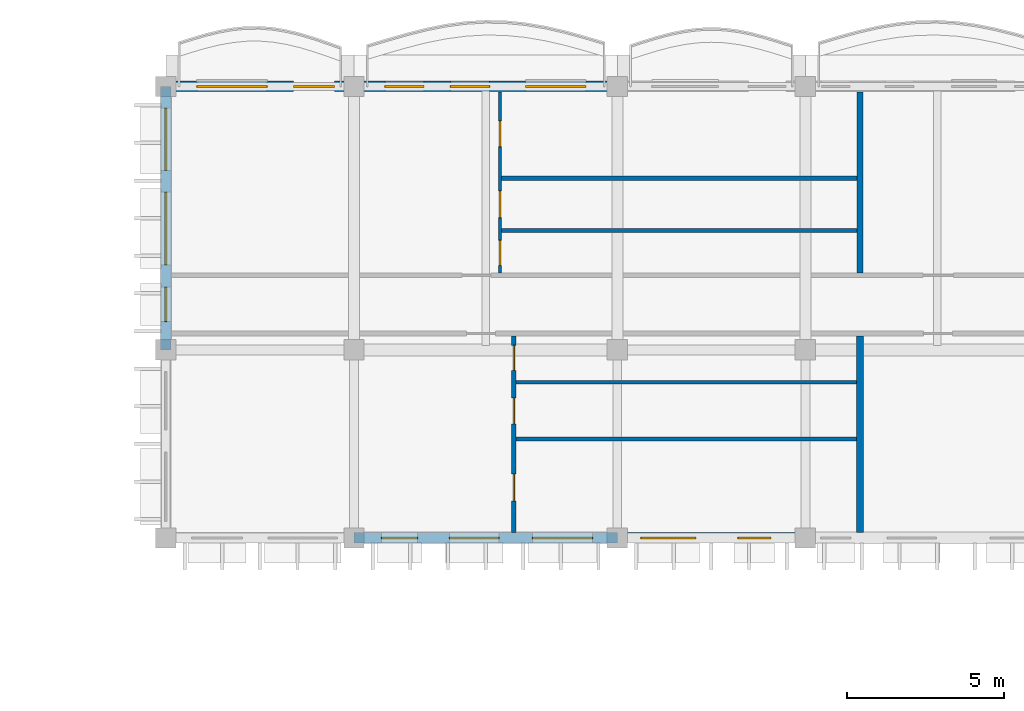
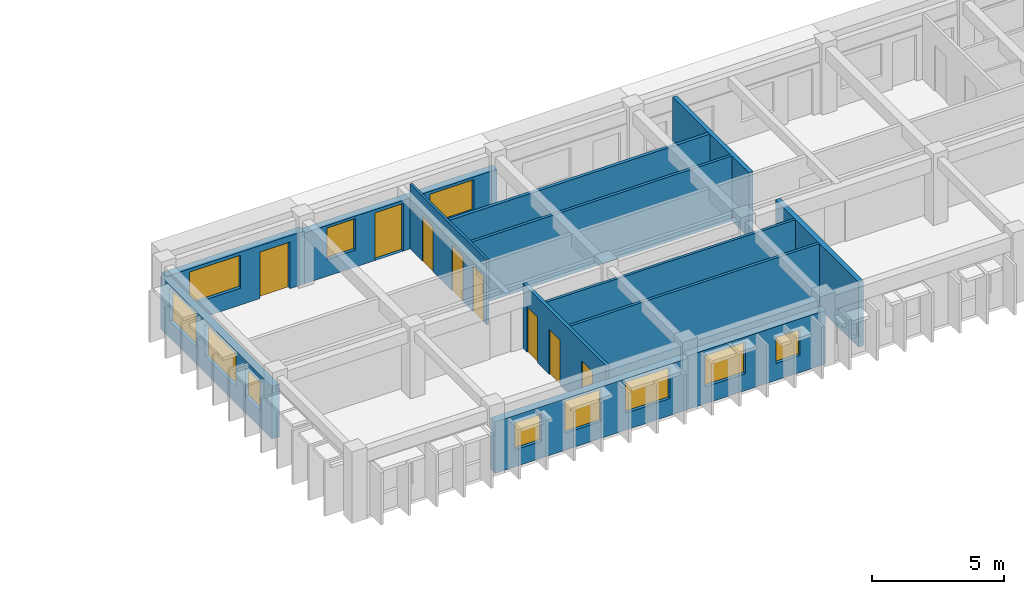
# One storey, part 27 of 70: 13 walls, 11 windows, 8 doors, 19 openings.
"""IFC4 building model written with IfcOpenShell, lengths in metres."""

from ifc_helpers import new_model, si_unit, direction, frame, frame_2d, origin, place, context, subcontext, project, spatial, rectangle, extrude, material, layer, layer_set, type_object, element, fill, save


model = new_model("IFC4")

# Units and contexts
model_context = context("Model", 3, precision=1e-05, world=origin(), true_north=direction((0.0, 1.0)))
body_context = subcontext(model_context, "Body", "Model", "MODEL_VIEW")
ifc_project = project(units=[si_unit("LENGTHUNIT", "METRE"), si_unit("AREAUNIT", "SQUARE_METRE"), si_unit("VOLUMEUNIT", "CUBIC_METRE"), si_unit("PLANEANGLEUNIT", "RADIAN"), si_unit("MASSUNIT", "GRAM", prefix="KILO"), si_unit("THERMODYNAMICTEMPERATUREUNIT", "KELVIN")], contexts=[model_context])

# Site, building, storey
site_placement = place(None, origin())
site = spatial("IfcSite", under=ifc_project, at=site_placement, CompositionType="ELEMENT")
building_placement = place(site_placement, origin())
building = spatial("IfcBuilding", under=site, at=building_placement, Name="Thalorik Housing Commons", CompositionType="ELEMENT")
storey_placement = place(building_placement, frame((0.0, 0.0, 14.699951171875)))
storey = spatial("IfcBuildingStorey", under=building, at=storey_placement, Name="L04", CompositionType="ELEMENT", Elevation=14.699951171875)

# Wall, openings, door, windows
ifc_material_1 = material(Name="White precast concrete C40/50", Category="concrete")
ifc_layer_1 = layer(ifc_material_1, 0.3349609375, Name="White precast concrete C40/50", Category="concrete")
ifc_layer_set_1 = layer_set([ifc_layer_1], Name="White precast concrete C40/50")
wall_type_1 = type_object("IfcWallType", Name="ARC-WAL-EXT-335", PredefinedType="STANDARD", material=ifc_layer_set_1)
wall_1_placement = place(storey_placement, frame((94.800048828125, 123.60009765625, 0.0), z_axis=(0.0, 0.0, 1.0), x_axis=(-1.0, 0.0, 0.0)))
wall_1 = element("IfcWall", 1, at=wall_1_placement, inside=storey, type_object=wall_type_1, Name="L04 Exterior Wall WAL-EXT-L04-B-0534", PredefinedType="STANDARD", context=body_context, shape_type="SweptSolid", body=[
    extrude(rectangle(XDim=8.400146484375, YDim=0.3349609375, at=frame_2d((4.2001953125, 0.0))), origin(), (0.0, 0.0, 1.0), 2.344970703125),
])
opening_1_placement = place(wall_1_placement, frame((4.071533203125, 0.0, 0.0)))
opening_1 = element("IfcOpeningElement", 2, at=opening_1_placement, cuts=wall_1, Name="Opening ED-0168", PredefinedType="OPENING", context=body_context, shape_type="SweptSolid", body=[
    extrude(rectangle(XDim=1.25, YDim=2.199951171875, at=frame_2d((0.625, 1.10009765625))), frame((0.0, 0.177490234375, 0.0), z_axis=(0.0, -1.0, 0.0), x_axis=(1.0, 0.0, 0.0)), (0.0, 0.0, 1.0), 0.35498046875),
])
opening_2_placement = place(wall_1_placement, frame((1.005859375, 0.0, 0.780029296875)))
opening_2 = element("IfcOpeningElement", 3, at=opening_2_placement, cuts=wall_1, Name="Opening W-60", PredefinedType="OPENING", context=body_context, shape_type="SweptSolid", body=[
    extrude(rectangle(XDim=1.919921875, YDim=1.43994140625, at=frame_2d((0.9599609375, 0.719970703125))), frame((0.0, 0.177490234375, 0.0), z_axis=(0.0, -1.0, 0.0), x_axis=(1.0, 0.0, 0.0)), (0.0, 0.0, 1.0), 0.35498046875),
])
opening_3_placement = place(wall_1_placement, frame((6.165771484375, 0.0, 0.780029296875)))
opening_3 = element("IfcOpeningElement", 4, at=opening_3_placement, cuts=wall_1, Name="Opening W-47", PredefinedType="OPENING", context=body_context, shape_type="SweptSolid", body=[
    extrude(rectangle(XDim=1.25, YDim=1.449951171875, at=frame_2d((0.625, 0.72509765625))), frame((0.0, 0.177490234375, 0.0), z_axis=(0.0, -1.0, 0.0), x_axis=(1.0, 0.0, 0.0)), (0.0, 0.0, 1.0), 0.35498046875),
])
ifc_material_2 = material(Name="Anodised aluminium and laminated safety glass", Category="aluminium")
door_type_1 = type_object("IfcDoorType", Name="ARC-DR-BAL-1250", OperationType="NOTDEFINED", PredefinedType="DOOR", material=ifc_material_2)
door_1_placement = place(opening_1_placement, frame((1.25, 0.0, 0.0), z_axis=(0.0, 0.0, 1.0), x_axis=(-1.0, 0.0, 0.0)))
door_1 = element("IfcDoor", 5, at=door_1_placement, inside=storey, type_object=door_type_1, Name="L04 Block B Balcony Glazed Door", OperationType="SINGLE_SWING_LEFT", OverallHeight=2.199951171875, OverallWidth=1.25, PredefinedType="DOOR", context=body_context, shape_type="SweptSolid", body=[
    extrude(rectangle(XDim=1.25, YDim=2.199951171875, at=frame_2d((0.625, 1.10009765625))), frame((0.0, 0.02490234375, 0.0), z_axis=(0.0, -1.0, 0.0), x_axis=(1.0, 0.0, 0.0)), (0.0, 0.0, 1.0), 0.050048828125),
])
fill(opening_1, door_1)
ifc_material_3 = material(Name="Anodised aluminium and solar-control low-E glass", Category="aluminium")
window_type_1 = type_object("IfcWindowType", Name="ARC-WIN-47", PartitioningType="SINGLE_PANEL", PredefinedType="WINDOW", material=ifc_material_3)
window_1_placement = place(opening_3_placement, origin())
window_1 = element("IfcWindow", 6, at=window_1_placement, inside=storey, type_object=window_type_1, Name="L04 Facade Window 960", OverallHeight=1.449951171875, OverallWidth=1.25, PartitioningType="SINGLE_PANEL", PredefinedType="WINDOW", context=body_context, shape_type="SweptSolid", body=[
    extrude(rectangle(XDim=1.25, YDim=1.449951171875, at=frame_2d((0.625, 0.72509765625))), frame((0.0, 0.030029296875, 0.0), z_axis=(0.0, -1.0, 0.0), x_axis=(1.0, 0.0, 0.0)), (0.0, 0.0, 1.0), 0.06005859375),
])
fill(opening_3, window_1)
window_type_2 = type_object("IfcWindowType", Name="ARC-WIN-60", PartitioningType="DOUBLE_PANEL_VERTICAL", PredefinedType="WINDOW", material=ifc_material_3)
window_2_placement = place(opening_2_placement, origin())
window_2 = element("IfcWindow", 7, at=window_2_placement, inside=storey, type_object=window_type_2, Name="L04 Facade Window 959", OverallHeight=1.43994140625, OverallWidth=1.919921875, PartitioningType="DOUBLE_PANEL_VERTICAL", PredefinedType="WINDOW", context=body_context, shape_type="SweptSolid", body=[
    extrude(rectangle(XDim=1.919921875, YDim=1.43994140625, at=frame_2d((0.9599609375, 0.719970703125))), frame((0.0, 0.030029296875, 0.0), z_axis=(0.0, -1.0, 0.0), x_axis=(1.0, 0.0, 0.0)), (0.0, 0.0, 1.0), 0.06005859375),
])
fill(opening_2, window_2)

# Wall, openings, door, window
wall_2_placement = place(storey_placement, frame((86.39990234375, 123.60009765625, 0.0), z_axis=(0.0, 0.0, 1.0), x_axis=(-1.0, 0.0, 0.0)))
wall_2 = element("IfcWall", 8, at=wall_2_placement, inside=storey, type_object=wall_type_1, Name="L04 Exterior Wall WAL-EXT-L04-B-0535", PredefinedType="STANDARD", context=body_context, shape_type="SweptSolid", body=[
    extrude(rectangle(XDim=6.0, YDim=0.3349609375, at=frame_2d((3.0, 0.0))), origin(), (0.0, 0.0, 1.0), 2.445068359375),
])
opening_4_placement = place(wall_2_placement, frame((0.6201171875, 0.0, 0.0)))
opening_4 = element("IfcOpeningElement", 9, at=opening_4_placement, cuts=wall_2, Name="Opening ED-0169", PredefinedType="OPENING", context=body_context, shape_type="SweptSolid", body=[
    extrude(rectangle(XDim=1.300048828125, YDim=2.14990234375, at=frame_2d((0.64990234375, 1.074951171875))), frame((0.0, 0.177490234375, 0.0), z_axis=(0.0, -1.0, 0.0), x_axis=(1.0, 0.0, 0.0)), (0.0, 0.0, 1.0), 0.35498046875),
])
opening_5_placement = place(wall_2_placement, frame((2.77001953125, 0.0, 0.780029296875)))
opening_5 = element("IfcOpeningElement", 10, at=opening_5_placement, cuts=wall_2, Name="Opening W-66", PredefinedType="OPENING", context=body_context, shape_type="SweptSolid", body=[
    extrude(rectangle(XDim=2.239990234375, YDim=1.52001953125, at=frame_2d((1.1201171875, 0.760009765625))), frame((0.0, 0.177490234375, 0.0), z_axis=(0.0, -1.0, 0.0), x_axis=(1.0, 0.0, 0.0)), (0.0, 0.0, 1.0), 0.35498046875),
])
door_type_2 = type_object("IfcDoorType", Name="ARC-DR-BAL-1300", OperationType="NOTDEFINED", PredefinedType="DOOR", material=ifc_material_2)
door_2_placement = place(opening_4_placement, frame((1.300048828125, 0.0, 0.0), z_axis=(0.0, 0.0, 1.0), x_axis=(-1.0, 0.0, 0.0)))
door_2 = element("IfcDoor", 11, at=door_2_placement, inside=storey, type_object=door_type_2, Name="L04 Block B Balcony Glazed Door", OperationType="SINGLE_SWING_RIGHT", OverallHeight=2.14990234375, OverallWidth=1.300048828125, PredefinedType="DOOR", context=body_context, shape_type="SweptSolid", body=[
    extrude(rectangle(XDim=1.300048828125, YDim=2.14990234375, at=frame_2d((0.64990234375, 1.074951171875))), frame((0.0, 0.02490234375, 0.0), z_axis=(0.0, -1.0, 0.0), x_axis=(1.0, 0.0, 0.0)), (0.0, 0.0, 1.0), 0.050048828125),
])
fill(opening_4, door_2)
window_type_3 = type_object("IfcWindowType", Name="ARC-WIN-66", PartitioningType="DOUBLE_PANEL_VERTICAL", PredefinedType="WINDOW", material=ifc_material_3)
window_3_placement = place(opening_5_placement, origin())
window_3 = element("IfcWindow", 12, at=window_3_placement, inside=storey, type_object=window_type_3, Name="L04 Facade Window 961", OverallHeight=1.52001953125, OverallWidth=2.239990234375, PartitioningType="DOUBLE_PANEL_VERTICAL", PredefinedType="WINDOW", context=body_context, shape_type="SweptSolid", body=[
    extrude(rectangle(XDim=2.239990234375, YDim=1.52001953125, at=frame_2d((1.1201171875, 0.760009765625))), frame((0.0, 0.030029296875, 0.0), z_axis=(0.0, -1.0, 0.0), x_axis=(1.0, 0.0, 0.0)), (0.0, 0.0, 1.0), 0.06005859375),
])
fill(opening_5, window_3)

# Wall, openings, windows
wall_3_placement = place(storey_placement, frame((80.39990234375, 123.60009765625, 0.0), z_axis=(0.0, 0.0, 1.0), x_axis=(0.0, -1.0, 0.0)))
wall_3 = element("IfcWall", 13, at=wall_3_placement, inside=storey, type_object=wall_type_1, Name="L04 Exterior Wall WAL-EXT-L04-B-0536", PredefinedType="STANDARD", context=body_context, shape_type="SweptSolid", body=[
    extrude(rectangle(XDim=8.400146484375, YDim=0.3349609375, at=frame_2d((4.2001953125, 0.0))), origin(), (0.0, 0.0, 1.0), 2.425048828125),
])
opening_6_placement = place(wall_3_placement, frame((0.6923828125, 0.0, 0.780029296875)))
opening_6 = element("IfcOpeningElement", 14, at=opening_6_placement, cuts=wall_3, Name="Opening W-61", PredefinedType="OPENING", context=body_context, shape_type="SweptSolid", body=[
    extrude(rectangle(XDim=1.97998046875, YDim=1.5, at=frame_2d((0.989990234375, 0.75))), frame((0.0, 0.177490234375, 0.0), z_axis=(0.0, -1.0, 0.0), x_axis=(1.0, 0.0, 0.0)), (0.0, 0.0, 1.0), 0.35498046875),
])
opening_7_placement = place(wall_3_placement, frame((3.367431640625, 0.0, 0.780029296875)))
opening_7 = element("IfcOpeningElement", 15, at=opening_7_placement, cuts=wall_3, Name="Opening W-68", PredefinedType="OPENING", context=body_context, shape_type="SweptSolid", body=[
    extrude(rectangle(XDim=2.320068359375, YDim=1.5, at=frame_2d((1.16015625, 0.75))), frame((0.0, 0.177490234375, 0.0), z_axis=(0.0, -1.0, 0.0), x_axis=(1.0, 0.0, 0.0)), (0.0, 0.0, 1.0), 0.35498046875),
])
opening_8_placement = place(wall_3_placement, frame((6.39990234375, 0.0, 0.780029296875)))
opening_8 = element("IfcOpeningElement", 16, at=opening_8_placement, cuts=wall_3, Name="Opening W-03", PredefinedType="OPENING", context=body_context, shape_type="SweptSolid", body=[
    extrude(rectangle(XDim=1.10009765625, YDim=1.300048828125, at=frame_2d((0.550048828125, 0.64990234375))), frame((0.0, 0.177490234375, 0.0), z_axis=(0.0, -1.0, 0.0), x_axis=(1.0, 0.0, 0.0)), (0.0, 0.0, 1.0), 0.35498046875),
])
window_type_4 = type_object("IfcWindowType", Name="ARC-WIN-03", PartitioningType="SINGLE_PANEL", PredefinedType="WINDOW", material=ifc_material_3)
window_4_placement = place(opening_8_placement, origin())
window_4 = element("IfcWindow", 17, at=window_4_placement, inside=storey, type_object=window_type_4, Name="L04 Facade Window 964", OverallHeight=1.300048828125, OverallWidth=1.10009765625, PartitioningType="SINGLE_PANEL", PredefinedType="WINDOW", context=body_context, shape_type="SweptSolid", body=[
    extrude(rectangle(XDim=1.10009765625, YDim=1.300048828125, at=frame_2d((0.550048828125, 0.64990234375))), frame((0.0, 0.030029296875, 0.0), z_axis=(0.0, -1.0, 0.0), x_axis=(1.0, 0.0, 0.0)), (0.0, 0.0, 1.0), 0.06005859375),
])
fill(opening_8, window_4)
window_type_5 = type_object("IfcWindowType", Name="ARC-WIN-61", PartitioningType="DOUBLE_PANEL_VERTICAL", PredefinedType="WINDOW", material=ifc_material_3)
window_5_placement = place(opening_6_placement, origin())
window_5 = element("IfcWindow", 18, at=window_5_placement, inside=storey, type_object=window_type_5, Name="L04 Facade Window 962", OverallHeight=1.5, OverallWidth=1.97998046875, PartitioningType="DOUBLE_PANEL_VERTICAL", PredefinedType="WINDOW", context=body_context, shape_type="SweptSolid", body=[
    extrude(rectangle(XDim=1.97998046875, YDim=1.5, at=frame_2d((0.989990234375, 0.75))), frame((0.0, 0.030029296875, 0.0), z_axis=(0.0, -1.0, 0.0), x_axis=(1.0, 0.0, 0.0)), (0.0, 0.0, 1.0), 0.06005859375),
])
fill(opening_6, window_5)
window_type_6 = type_object("IfcWindowType", Name="ARC-WIN-68", PartitioningType="DOUBLE_PANEL_VERTICAL", PredefinedType="WINDOW", material=ifc_material_3)
window_6_placement = place(opening_7_placement, origin())
window_6 = element("IfcWindow", 19, at=window_6_placement, inside=storey, type_object=window_type_6, Name="L04 Facade Window 963", OverallHeight=1.5, OverallWidth=2.320068359375, PartitioningType="DOUBLE_PANEL_VERTICAL", PredefinedType="WINDOW", context=body_context, shape_type="SweptSolid", body=[
    extrude(rectangle(XDim=2.320068359375, YDim=1.5, at=frame_2d((1.16015625, 0.75))), frame((0.0, 0.030029296875, 0.0), z_axis=(0.0, -1.0, 0.0), x_axis=(1.0, 0.0, 0.0)), (0.0, 0.0, 1.0), 0.06005859375),
])
fill(opening_7, window_6)

wall_4_placement = place(storey_placement, frame((86.39990234375, 109.199951171875, 0.0), z_axis=(0.0, 0.0, 1.0), x_axis=(1.0, 0.0, 0.0)))
wall_4 = element("IfcWall", 20, at=wall_4_placement, inside=storey, type_object=wall_type_1, Name="L04 Exterior Wall WAL-EXT-L04-B-0539", PredefinedType="STANDARD", context=body_context, shape_type="SweptSolid", body=[
    extrude(rectangle(XDim=8.400146484375, YDim=0.3349609375, at=frame_2d((4.2001953125, 0.0))), origin(), (0.0, 0.0, 1.0), 2.375),
])
opening_9_placement = place(wall_4_placement, frame((0.87744140625, 0.0, 0.780029296875)))
opening_9 = element("IfcOpeningElement", 21, at=opening_9_placement, cuts=wall_4, Name="Opening W-45", PredefinedType="OPENING", context=body_context, shape_type="SweptSolid", body=[
    extrude(rectangle(XDim=1.14990234375, YDim=1.25, at=frame_2d((0.574951171875, 0.625))), frame((0.0, 0.177490234375, 0.0), z_axis=(0.0, -1.0, 0.0), x_axis=(1.0, 0.0, 0.0)), (0.0, 0.0, 1.0), 0.35498046875),
])
opening_10_placement = place(wall_4_placement, frame((3.047607421875, 0.0, 0.780029296875)))
opening_10 = element("IfcOpeningElement", 22, at=opening_10_placement, cuts=wall_4, Name="Opening W-53", PredefinedType="OPENING", context=body_context, shape_type="SweptSolid", body=[
    extrude(rectangle(XDim=1.580078125, YDim=1.47998046875, at=frame_2d((0.7900390625, 0.739990234375))), frame((0.0, 0.177490234375, 0.0), z_axis=(0.0, -1.0, 0.0), x_axis=(1.0, 0.0, 0.0)), (0.0, 0.0, 1.0), 0.35498046875),
])
opening_11_placement = place(wall_4_placement, frame((5.695068359375, 0.0, 0.780029296875)))
opening_11 = element("IfcOpeningElement", 23, at=opening_11_placement, cuts=wall_4, Name="Opening W-60", PredefinedType="OPENING", context=body_context, shape_type="SweptSolid", body=[
    extrude(rectangle(XDim=1.919921875, YDim=1.43994140625, at=frame_2d((0.9599609375, 0.719970703125))), frame((0.0, 0.177490234375, 0.0), z_axis=(0.0, -1.0, 0.0), x_axis=(1.0, 0.0, 0.0)), (0.0, 0.0, 1.0), 0.35498046875),
])
window_type_7 = type_object("IfcWindowType", Name="ARC-WIN-45", PartitioningType="SINGLE_PANEL", PredefinedType="WINDOW", material=ifc_material_3)
window_7_placement = place(opening_9_placement, origin())
window_7 = element("IfcWindow", 24, at=window_7_placement, inside=storey, type_object=window_type_7, Name="L04 Facade Window 969", OverallHeight=1.25, OverallWidth=1.14990234375, PartitioningType="SINGLE_PANEL", PredefinedType="WINDOW", context=body_context, shape_type="SweptSolid", body=[
    extrude(rectangle(XDim=1.14990234375, YDim=1.25, at=frame_2d((0.574951171875, 0.625))), frame((0.0, 0.030029296875, 0.0), z_axis=(0.0, -1.0, 0.0), x_axis=(1.0, 0.0, 0.0)), (0.0, 0.0, 1.0), 0.06005859375),
])
fill(opening_9, window_7)
window_type_8 = type_object("IfcWindowType", Name="ARC-WIN-53", PartitioningType="SINGLE_PANEL", PredefinedType="WINDOW", material=ifc_material_3)
window_8_placement = place(opening_10_placement, origin())
window_8 = element("IfcWindow", 25, at=window_8_placement, inside=storey, type_object=window_type_8, Name="L04 Facade Window 970", OverallHeight=1.47998046875, OverallWidth=1.580078125, PartitioningType="SINGLE_PANEL", PredefinedType="WINDOW", context=body_context, shape_type="SweptSolid", body=[
    extrude(rectangle(XDim=1.580078125, YDim=1.47998046875, at=frame_2d((0.7900390625, 0.739990234375))), frame((0.0, 0.030029296875, 0.0), z_axis=(0.0, -1.0, 0.0), x_axis=(1.0, 0.0, 0.0)), (0.0, 0.0, 1.0), 0.06005859375),
])
fill(opening_10, window_8)
window_9_placement = place(opening_11_placement, origin())
window_9 = element("IfcWindow", 26, at=window_9_placement, inside=storey, type_object=window_type_2, Name="L04 Facade Window 971", OverallHeight=1.43994140625, OverallWidth=1.919921875, PartitioningType="DOUBLE_PANEL_VERTICAL", PredefinedType="WINDOW", context=body_context, shape_type="SweptSolid", body=[
    extrude(rectangle(XDim=1.919921875, YDim=1.43994140625, at=frame_2d((0.9599609375, 0.719970703125))), frame((0.0, 0.030029296875, 0.0), z_axis=(0.0, -1.0, 0.0), x_axis=(1.0, 0.0, 0.0)), (0.0, 0.0, 1.0), 0.06005859375),
])
fill(opening_11, window_9)

wall_5_placement = place(storey_placement, frame((94.800048828125, 109.199951171875, 0.0), z_axis=(0.0, 0.0, 1.0), x_axis=(1.0, 0.0, 0.0)))
wall_5 = element("IfcWall", 27, at=wall_5_placement, inside=storey, type_object=wall_type_1, Name="L04 Exterior Wall WAL-EXT-L04-B-0540", PredefinedType="STANDARD", context=body_context, shape_type="SweptSolid", body=[
    extrude(rectangle(XDim=6.0, YDim=0.3349609375, at=frame_2d((3.0, 0.0))), origin(), (0.0, 0.0, 1.0), 2.47509765625),
])
opening_12_placement = place(wall_5_placement, frame((0.7548828125, 0.0, 0.780029296875)))
opening_12 = element("IfcOpeningElement", 28, at=opening_12_placement, cuts=wall_5, Name="Opening W-17", PredefinedType="OPENING", context=body_context, shape_type="SweptSolid", body=[
    extrude(rectangle(XDim=1.75, YDim=1.449951171875, at=frame_2d((0.875, 0.72509765625))), frame((0.0, 0.177490234375, 0.0), z_axis=(0.0, -1.0, 0.0), x_axis=(1.0, 0.0, 0.0)), (0.0, 0.0, 1.0), 0.35498046875),
])
opening_13_placement = place(wall_5_placement, frame((3.844970703125, 0.0, 0.780029296875)))
opening_13 = element("IfcOpeningElement", 29, at=opening_13_placement, cuts=wall_5, Name="Opening W-44", PredefinedType="OPENING", context=body_context, shape_type="SweptSolid", body=[
    extrude(rectangle(XDim=1.050048828125, YDim=1.199951171875, at=frame_2d((0.52490234375, 0.60009765625))), frame((0.0, 0.177490234375, 0.0), z_axis=(0.0, -1.0, 0.0), x_axis=(1.0, 0.0, 0.0)), (0.0, 0.0, 1.0), 0.35498046875),
])
window_type_9 = type_object("IfcWindowType", Name="ARC-WIN-17", PartitioningType="DOUBLE_PANEL_VERTICAL", PredefinedType="WINDOW", material=ifc_material_3)
window_10_placement = place(opening_12_placement, origin())
window_10 = element("IfcWindow", 30, at=window_10_placement, inside=storey, type_object=window_type_9, Name="L04 Facade Window 972", OverallHeight=1.449951171875, OverallWidth=1.75, PartitioningType="DOUBLE_PANEL_VERTICAL", PredefinedType="WINDOW", context=body_context, shape_type="SweptSolid", body=[
    extrude(rectangle(XDim=1.75, YDim=1.449951171875, at=frame_2d((0.875, 0.72509765625))), frame((0.0, 0.030029296875, 0.0), z_axis=(0.0, -1.0, 0.0), x_axis=(1.0, 0.0, 0.0)), (0.0, 0.0, 1.0), 0.06005859375),
])
fill(opening_12, window_10)
window_type_10 = type_object("IfcWindowType", Name="ARC-WIN-44", PartitioningType="SINGLE_PANEL", PredefinedType="WINDOW", material=ifc_material_3)
window_11_placement = place(opening_13_placement, origin())
window_11 = element("IfcWindow", 31, at=window_11_placement, inside=storey, type_object=window_type_10, Name="L04 Facade Window 973", OverallHeight=1.199951171875, OverallWidth=1.050048828125, PartitioningType="SINGLE_PANEL", PredefinedType="WINDOW", context=body_context, shape_type="SweptSolid", body=[
    extrude(rectangle(XDim=1.050048828125, YDim=1.199951171875, at=frame_2d((0.52490234375, 0.60009765625))), frame((0.0, 0.030029296875, 0.0), z_axis=(0.0, -1.0, 0.0), x_axis=(1.0, 0.0, 0.0)), (0.0, 0.0, 1.0), 0.06005859375),
])
fill(opening_13, window_11)

# Wall, openings, doors
ifc_material_4 = material(Name="Gypsum light stud partition", Category="masonry")
ifc_layer_2 = layer(ifc_material_4, 0.10009765625, Name="Gypsum light stud partition", Category="masonry")
ifc_layer_set_2 = layer_set([ifc_layer_2], Name="Gypsum light stud partition")
wall_type_2 = type_object("IfcWallType", Name="ARC-WAL-PART-100", PredefinedType="PARTITIONING", material=ifc_layer_set_2)
wall_6_placement = place(storey_placement, frame((91.058349609375, 117.656982421875, 0.0), z_axis=(0.0, 0.0, 1.0), x_axis=(0.0, 1.0, 0.0)))
wall_6 = element("IfcWall", 32, at=wall_6_placement, inside=storey, type_object=wall_type_2, Name="L04 Unit 1B Spine Partition", PredefinedType="PARTITIONING", context=body_context, shape_type="SweptSolid", body=[
    extrude(rectangle(XDim=5.7734375, YDim=0.10009765625, at=frame_2d((2.88671875, 0.0))), origin(), (0.0, 0.0, 1.0), 3.0),
])
opening_14_placement = place(wall_6_placement, frame((0.23828125, 0.0, 0.0)))
opening_14 = element("IfcOpeningElement", 33, at=opening_14_placement, cuts=wall_6, Name="Opening ID-1126", PredefinedType="OPENING", context=body_context, shape_type="SweptSolid", body=[
    extrude(rectangle(XDim=0.800048828125, YDim=2.10009765625, at=frame_2d((0.39990234375, 1.050048828125))), frame((0.0, 0.06005859375, 0.0), z_axis=(0.0, -1.0, 0.0), x_axis=(1.0, 0.0, 0.0)), (0.0, 0.0, 1.0), 0.1201171875),
])
opening_15_placement = place(wall_6_placement, frame((1.7626953125, 0.0, 0.0)))
opening_15 = element("IfcOpeningElement", 34, at=opening_15_placement, cuts=wall_6, Name="Opening ID-1127", PredefinedType="OPENING", context=body_context, shape_type="SweptSolid", body=[
    extrude(rectangle(XDim=0.85009765625, YDim=2.10009765625, at=frame_2d((0.425048828125, 1.050048828125))), frame((0.0, 0.06005859375, 0.0), z_axis=(0.0, -1.0, 0.0), x_axis=(1.0, 0.0, 0.0)), (0.0, 0.0, 1.0), 0.1201171875),
])
opening_16_placement = place(wall_6_placement, frame((4.027587890625, 0.0, 0.0)))
opening_16 = element("IfcOpeningElement", 35, at=opening_16_placement, cuts=wall_6, Name="Opening ID-1128", PredefinedType="OPENING", context=body_context, shape_type="SweptSolid", body=[
    extrude(rectangle(XDim=0.820068359375, YDim=2.080078125, at=frame_2d((0.41015625, 1.0400390625))), frame((0.0, 0.06005859375, 0.0), z_axis=(0.0, -1.0, 0.0), x_axis=(1.0, 0.0, 0.0)), (0.0, 0.0, 1.0), 0.1201171875),
])
ifc_material_5 = material(Name="Moisture-resistant timber", Category="wood")
door_type_3 = type_object("IfcDoorType", Name="ARC-DR-INT-800", OperationType="NOTDEFINED", PredefinedType="DOOR", material=ifc_material_5)
door_3_placement = place(opening_14_placement, origin())
door_3 = element("IfcDoor", 36, at=door_3_placement, inside=storey, type_object=door_type_3, Name="L04 Flat Bathroom Door", OperationType="SINGLE_SWING_LEFT", OverallHeight=2.10009765625, OverallWidth=0.800048828125, PredefinedType="DOOR", context=body_context, shape_type="SweptSolid", body=[
    extrude(rectangle(XDim=0.800048828125, YDim=2.10009765625, at=frame_2d((0.39990234375, 1.050048828125))), frame((0.0, 0.02490234375, 0.0), z_axis=(0.0, -1.0, 0.0), x_axis=(1.0, 0.0, 0.0)), (0.0, 0.0, 1.0), 0.050048828125),
])
fill(opening_14, door_3)
ifc_material_6 = material(Name="Engineered oak timber", Category="wood")
door_type_4 = type_object("IfcDoorType", Name="ARC-DR-INT-820", OperationType="NOTDEFINED", PredefinedType="DOOR", material=ifc_material_6)
door_4_placement = place(opening_16_placement, origin())
door_4 = element("IfcDoor", 37, at=door_4_placement, inside=storey, type_object=door_type_4, Name="L04 Master Bedroom Door", OperationType="SINGLE_SWING_LEFT", OverallHeight=2.080078125, OverallWidth=0.820068359375, PredefinedType="DOOR", context=body_context, shape_type="SweptSolid", body=[
    extrude(rectangle(XDim=0.820068359375, YDim=2.080078125, at=frame_2d((0.41015625, 1.0400390625))), frame((0.0, 0.02490234375, 0.0), z_axis=(0.0, -1.0, 0.0), x_axis=(1.0, 0.0, 0.0)), (0.0, 0.0, 1.0), 0.050048828125),
])
fill(opening_16, door_4)
door_type_5 = type_object("IfcDoorType", Name="ARC-DR-INT-850", OperationType="NOTDEFINED", PredefinedType="DOOR", material=ifc_material_6)
door_5_placement = place(opening_15_placement, origin())
door_5 = element("IfcDoor", 38, at=door_5_placement, inside=storey, type_object=door_type_5, Name="L04 Galley Kitchen Door", OperationType="SINGLE_SWING_RIGHT", OverallHeight=2.10009765625, OverallWidth=0.85009765625, PredefinedType="DOOR", context=body_context, shape_type="SweptSolid", body=[
    extrude(rectangle(XDim=0.85009765625, YDim=2.10009765625, at=frame_2d((0.425048828125, 1.050048828125))), frame((0.0, 0.02490234375, 0.0), z_axis=(0.0, -1.0, 0.0), x_axis=(1.0, 0.0, 0.0)), (0.0, 0.0, 1.0), 0.050048828125),
])
fill(opening_15, door_5)

# Walls
ifc_material_7 = material(Name="Gypsum moisture-resistant partition", Category="masonry")
ifc_layer_3 = layer(ifc_material_7, 0.114990234375, Name="Gypsum moisture-resistant partition", Category="masonry")
ifc_layer_set_3 = layer_set([ifc_layer_3], Name="Gypsum moisture-resistant partition")
wall_type_3 = type_object("IfcWallType", Name="ARC-WAL-PART-115", PredefinedType="PARTITIONING", material=ifc_layer_set_3)
wall_7_placement = place(storey_placement, frame((91.572021484375, 114.169677734375, 0.0), z_axis=(0.0, 0.0, 1.0), x_axis=(1.0, 0.0, 0.0)))
element("IfcWall", 39, at=wall_7_placement, inside=storey, type_object=wall_type_3, Name="L04 Unit 1 Wet Wall", PredefinedType="PARTITIONING", context=body_context, shape_type="SweptSolid", body=[
    extrude(rectangle(XDim=10.85595703125, YDim=0.114990234375, at=frame_2d((5.427978515625, 0.0))), origin(), (0.0, 0.0, 1.0), 3.0),
])
ifc_material_8 = material(Name="Gypsum acoustic stud partition", Category="masonry")
ifc_layer_4 = layer(ifc_material_8, 0.125, Name="Gypsum acoustic stud partition", Category="masonry")
ifc_layer_set_4 = layer_set([ifc_layer_4], Name="Gypsum acoustic stud partition")
wall_type_4 = type_object("IfcWallType", Name="ARC-WAL-PART-125", PredefinedType="PARTITIONING", material=ifc_layer_set_4)
wall_8_placement = place(storey_placement, frame((91.572021484375, 112.36083984375, 0.0), z_axis=(0.0, 0.0, 1.0), x_axis=(1.0, 0.0, 0.0)))
element("IfcWall", 40, at=wall_8_placement, inside=storey, type_object=wall_type_4, Name="L04 Unit 1 Bedroom Partition", PredefinedType="PARTITIONING", context=body_context, shape_type="SweptSolid", body=[
    extrude(rectangle(XDim=10.85595703125, YDim=0.125, at=frame_2d((5.427978515625, 0.0))), origin(), (0.0, 0.0, 1.0), 3.0),
])
wall_9_placement = place(storey_placement, frame((91.1103515625, 119.010498046875, 0.0), z_axis=(0.0, 0.0, 1.0), x_axis=(1.0, 0.0, 0.0)))
element("IfcWall", 41, at=wall_9_placement, inside=storey, type_object=wall_type_4, Name="L04 Unit 1B Wet Wall", PredefinedType="PARTITIONING", context=body_context, shape_type="SweptSolid", body=[
    extrude(rectangle(XDim=11.335205078125, YDim=0.125, at=frame_2d((5.66748046875, 0.0))), origin(), (0.0, 0.0, 1.0), 3.0),
])

# Wall, openings, doors
ifc_material_9 = material(Name="Ceramic masonry partition wall", Category="masonry")
ifc_layer_5 = layer(ifc_material_9, 0.139892578125, Name="Ceramic masonry partition wall", Category="masonry")
ifc_layer_set_5 = layer_set([ifc_layer_5], Name="Ceramic masonry partition wall")
wall_type_5 = type_object("IfcWallType", Name="ARC-WAL-PART-140", PredefinedType="PARTITIONING", material=ifc_layer_set_5)
wall_10_placement = place(storey_placement, frame((91.5, 109.369384765625, 0.0), z_axis=(0.0, 0.0, 1.0), x_axis=(0.0, 1.0, 0.0)))
wall_10 = element("IfcWall", 42, at=wall_10_placement, inside=storey, type_object=wall_type_5, Name="L04 Unit 1 Spine Partition", PredefinedType="PARTITIONING", context=body_context, shape_type="SweptSolid", body=[
    extrude(rectangle(XDim=6.26611328125, YDim=0.139892578125, at=frame_2d((3.133056640625, 0.0))), origin(), (0.0, 0.0, 1.0), 3.0),
])
opening_17_placement = place(wall_10_placement, frame((1.015869140625, 0.0, 0.0)))
opening_17 = element("IfcOpeningElement", 43, at=opening_17_placement, cuts=wall_10, Name="Opening ID-1123", PredefinedType="OPENING", context=body_context, shape_type="SweptSolid", body=[
    extrude(rectangle(XDim=0.85009765625, YDim=2.10009765625, at=frame_2d((0.425048828125, 1.050048828125))), frame((0.0, 0.080078125, 0.0), z_axis=(0.0, -1.0, 0.0), x_axis=(1.0, 0.0, 0.0)), (0.0, 0.0, 1.0), 0.159912109375),
])
opening_18_placement = place(wall_10_placement, frame((3.470703125, 0.0, 0.0)))
opening_18 = element("IfcOpeningElement", 44, at=opening_18_placement, cuts=wall_10, Name="Opening ID-1124", PredefinedType="OPENING", context=body_context, shape_type="SweptSolid", body=[
    extrude(rectangle(XDim=0.820068359375, YDim=2.080078125, at=frame_2d((0.41015625, 1.0400390625))), frame((0.0, 0.080078125, 0.0), z_axis=(0.0, -1.0, 0.0), x_axis=(1.0, 0.0, 0.0)), (0.0, 0.0, 1.0), 0.159912109375),
])
opening_19_placement = place(wall_10_placement, frame((5.17529296875, 0.0, 0.0)))
opening_19 = element("IfcOpeningElement", 45, at=opening_19_placement, cuts=wall_10, Name="Opening ID-1125", PredefinedType="OPENING", context=body_context, shape_type="SweptSolid", body=[
    extrude(rectangle(XDim=0.800048828125, YDim=2.10009765625, at=frame_2d((0.39990234375, 1.050048828125))), frame((0.0, 0.080078125, 0.0), z_axis=(0.0, -1.0, 0.0), x_axis=(1.0, 0.0, 0.0)), (0.0, 0.0, 1.0), 0.159912109375),
])
door_6_placement = place(opening_19_placement, origin())
door_6 = element("IfcDoor", 46, at=door_6_placement, inside=storey, type_object=door_type_3, Name="L04 Flat Bathroom Door", OperationType="SINGLE_SWING_RIGHT", OverallHeight=2.10009765625, OverallWidth=0.800048828125, PredefinedType="DOOR", context=body_context, shape_type="SweptSolid", body=[
    extrude(rectangle(XDim=0.800048828125, YDim=2.10009765625, at=frame_2d((0.39990234375, 1.050048828125))), frame((0.0, 0.02490234375, 0.0), z_axis=(0.0, -1.0, 0.0), x_axis=(1.0, 0.0, 0.0)), (0.0, 0.0, 1.0), 0.050048828125),
])
fill(opening_19, door_6)
door_7_placement = place(opening_18_placement, origin())
door_7 = element("IfcDoor", 47, at=door_7_placement, inside=storey, type_object=door_type_4, Name="L04 Eat-In Kitchen Door", OperationType="SINGLE_SWING_LEFT", OverallHeight=2.080078125, OverallWidth=0.820068359375, PredefinedType="DOOR", context=body_context, shape_type="SweptSolid", body=[
    extrude(rectangle(XDim=0.820068359375, YDim=2.080078125, at=frame_2d((0.41015625, 1.0400390625))), frame((0.0, 0.02490234375, 0.0), z_axis=(0.0, -1.0, 0.0), x_axis=(1.0, 0.0, 0.0)), (0.0, 0.0, 1.0), 0.050048828125),
])
fill(opening_18, door_7)
door_8_placement = place(opening_17_placement, origin())
door_8 = element("IfcDoor", 48, at=door_8_placement, inside=storey, type_object=door_type_5, Name="L04 Master Bedroom Door", OperationType="SINGLE_SWING_RIGHT", OverallHeight=2.10009765625, OverallWidth=0.85009765625, PredefinedType="DOOR", context=body_context, shape_type="SweptSolid", body=[
    extrude(rectangle(XDim=0.85009765625, YDim=2.10009765625, at=frame_2d((0.425048828125, 1.050048828125))), frame((0.0, 0.02490234375, 0.0), z_axis=(0.0, -1.0, 0.0), x_axis=(1.0, 0.0, 0.0)), (0.0, 0.0, 1.0), 0.050048828125),
])
fill(opening_17, door_8)

# Walls
wall_11_placement = place(storey_placement, frame((91.1103515625, 120.67919921875, 0.0), z_axis=(0.0, 0.0, 1.0), x_axis=(1.0, 0.0, 0.0)))
element("IfcWall", 49, at=wall_11_placement, inside=storey, type_object=wall_type_5, Name="L04 Unit 1B Bedroom Partition", PredefinedType="PARTITIONING", context=body_context, shape_type="SweptSolid", body=[
    extrude(rectangle(XDim=11.335205078125, YDim=0.139892578125, at=frame_2d((5.66748046875, 0.0))), origin(), (0.0, 0.0, 1.0), 3.0),
])
ifc_material_10 = material(Name="Masonry acoustic blockwork wall", Category="masonry")
ifc_layer_6 = layer(ifc_material_10, 0.18505859375, Name="Masonry acoustic blockwork wall", Category="masonry")
ifc_layer_set_6 = layer_set([ifc_layer_6], Name="Masonry acoustic blockwork wall")
wall_type_6 = type_object("IfcWallType", Name="ARC-WAL-PARTY-185", PredefinedType="PARTITIONING", material=ifc_layer_set_6)
wall_12_placement = place(storey_placement, frame((102.5400390625, 117.656982421875, 0.0), z_axis=(0.0, 0.0, 1.0), x_axis=(0.0, 1.0, 0.0)))
element("IfcWall", 50, at=wall_12_placement, inside=storey, type_object=wall_type_6, Name="L04 Inter-Tenancy Wall 1B", PredefinedType="PARTITIONING", context=body_context, shape_type="SweptSolid", body=[
    extrude(rectangle(XDim=5.7734375, YDim=0.18505859375, at=frame_2d((2.88671875, 0.0))), origin(), (0.0, 0.0, 1.0), 3.0),
])
ifc_material_11 = material(Name="Precast concrete C40/50 acoustic wall", Category="concrete")
ifc_layer_7 = layer(ifc_material_11, 0.219970703125, Name="Precast concrete C40/50 acoustic wall", Category="concrete")
ifc_layer_set_7 = layer_set([ifc_layer_7], Name="Precast concrete C40/50 acoustic wall")
wall_type_7 = type_object("IfcWallType", Name="ARC-WAL-PARTY-220", PredefinedType="PARTITIONING", material=ifc_layer_set_7)
wall_13_placement = place(storey_placement, frame((102.5400390625, 109.369384765625, 0.0), z_axis=(0.0, 0.0, 1.0), x_axis=(0.0, 1.0, 0.0)))
element("IfcWall", 51, at=wall_13_placement, inside=storey, type_object=wall_type_7, Name="L04 Inter-Tenancy Wall 1A", PredefinedType="PARTITIONING", context=body_context, shape_type="SweptSolid", body=[
    extrude(rectangle(XDim=6.26611328125, YDim=0.219970703125, at=frame_2d((3.133056640625, 0.0))), origin(), (0.0, 0.0, 1.0), 3.0),
])

save(model, "model.ifc")
